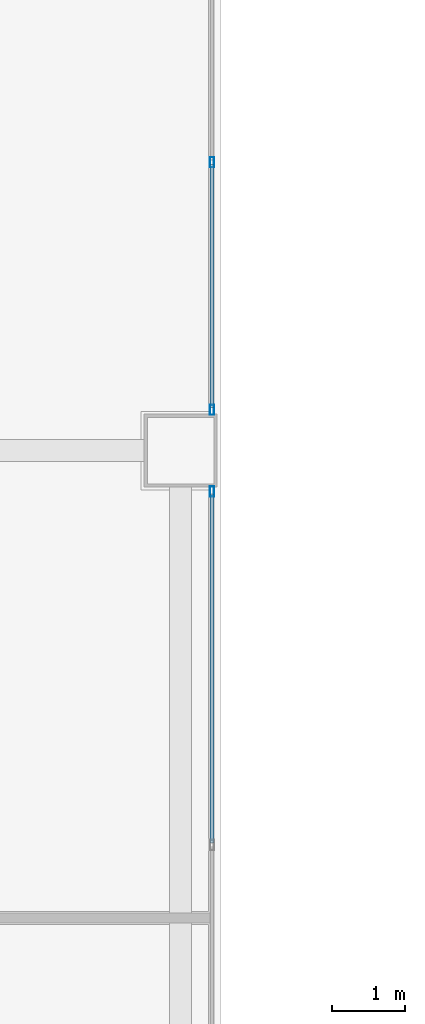
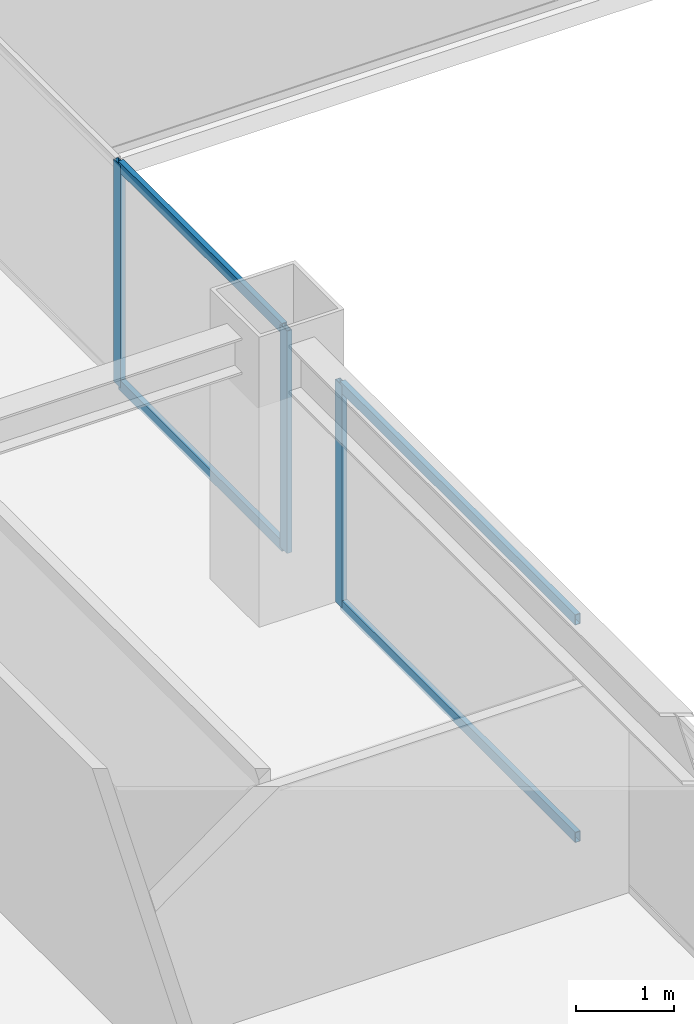
# One storey, part 7 of 29: 7 members, 2 elements without a shape of their own.
"""IFC4 building model written with IfcOpenShell, lengths in metres."""

from ifc_helpers import new_model, si_unit, direction, frame, origin, origin_2d, place, context, subcontext, project, spatial, hollow_rectangle, extrude, source, transform, mapped, material, layer, layer_set, material_profile, profile_set, type_object, element, aggregate, save


model = new_model("IFC4")

# Units and contexts
model_context = context("Model", 3, precision=1e-05, world=origin(), true_north=direction((0.0, 1.0)))
body_context = subcontext(model_context, "Body", "Model", "MODEL_VIEW")
ifc_project = project(units=[si_unit("LENGTHUNIT", "METRE"), si_unit("AREAUNIT", "SQUARE_METRE"), si_unit("VOLUMEUNIT", "CUBIC_METRE"), si_unit("PLANEANGLEUNIT", "RADIAN"), si_unit("MASSUNIT", "GRAM", prefix="KILO")], contexts=[model_context])

# Site, building, storey
site_placement = place(None, origin())
site = spatial("IfcSite", under=ifc_project, at=site_placement, CompositionType="ELEMENT")
building_placement = place(site_placement, origin())
building = spatial("IfcBuilding", under=site, at=building_placement, Name="Sumidabori Civic Tower", CompositionType="ELEMENT")
storey_placement = place(building_placement, frame((0.0, 0.0, 203.60009765625)))
storey = spatial("IfcBuildingStorey", under=building, at=storey_placement, Name="L52", CompositionType="ELEMENT", Elevation=203.60009765625)

# Curtain wall, member
ifc_material = material(Name="Anodised Bronze Aluminium AW-6063-T6", Category="aluminium")
ifc_layer = layer(ifc_material, 0.179931640625, Name="Anodised Bronze Aluminium AW-6063-T6")
ifc_layer_set = layer_set([ifc_layer], Name="Anodised Bronze Aluminium AW-6063-T6")
curtain_wall_type = type_object("IfcCurtainWallType", Name="CW-SYS-4", PredefinedType="NOTDEFINED", material=ifc_layer_set)
curtain_wall_1_placement = place(storey_placement, origin())
curtain_wall_1 = element("IfcCurtainWall", 1, at=curtain_wall_1_placement, inside=storey, type_object=curtain_wall_type, Name="Curtain Wall CW:L52:R03", PredefinedType="NOTDEFINED")
ifc_material_profile_1 = material_profile(ifc_material, hollow_rectangle(XDim=0.06005859375, YDim=0.139892578125, WallThickness=0.0048828125, at=origin_2d()), Name="ALU MULLION 140x60")
ifc_profile_set_1 = profile_set([ifc_material_profile_1], Name="Anodised Bronze Aluminium AW-6063-T6")
member_type_1 = type_object("IfcMemberType", Name="CW-MUL-140", PredefinedType="MULLION", material=ifc_profile_set_1)
shared_shape_1 = source(origin(), body_context, "Body", "SweptSolid", [
    extrude(hollow_rectangle(XDim=0.06005859375, YDim=0.139892578125, WallThickness=0.0048828125, at=origin_2d()), origin(), (0.0, 0.0, 1.0), 2.760009765625),
])
member_1_placement = place(storey_placement, frame((-7.969970703125, -0.56005859375, 0.0), z_axis=(0.0, 0.0, 1.0), x_axis=(-1.0, 0.0, 0.0)))
member_1 = element("IfcMember", 2, at=member_1_placement, type_object=member_type_1, Name="CW-4 mullion 3", PredefinedType="MULLION", context=body_context, shape_type="MappedRepresentation", body=[
    mapped(shared_shape_1, transform((0.0, 0.0, 0.0), x_axis=(1.0, 0.0, 0.0), y_axis=(0.0, 1.0, 0.0), z_axis=(0.0, 0.0, 1.0), scale=1.0)),
])

# Curtain wall, members
curtain_wall_2_placement = place(storey_placement, origin())
curtain_wall_2 = element("IfcCurtainWall", 3, at=curtain_wall_2_placement, inside=storey, type_object=curtain_wall_type, Name="Curtain Wall CW:L52:R04", PredefinedType="NOTDEFINED")
member_2_placement = place(storey_placement, frame((-7.969970703125, 0.56005859375, 0.0), z_axis=(0.0, 0.0, 1.0), x_axis=(-1.0, 0.0, 0.0)))
member_2 = element("IfcMember", 4, at=member_2_placement, type_object=member_type_1, Name="CW-4 mullion 1", PredefinedType="MULLION", context=body_context, shape_type="MappedRepresentation", body=[
    mapped(shared_shape_1, transform((0.0, 0.0, 0.0), x_axis=(1.0, 0.0, 0.0), y_axis=(0.0, 1.0, 0.0), z_axis=(0.0, 0.0, 1.0), scale=1.0)),
])
member_3_placement = place(storey_placement, frame((-7.969970703125, 3.949951171875, 0.0), z_axis=(0.0, 0.0, 1.0), x_axis=(-1.0, 0.0, 0.0)))
member_3 = element("IfcMember", 5, at=member_3_placement, type_object=member_type_1, Name="CW-4 mullion 2", PredefinedType="MULLION", context=body_context, shape_type="MappedRepresentation", body=[
    mapped(shared_shape_1, transform((0.0, 0.0, 0.0), x_axis=(1.0, 0.0, 0.0), y_axis=(0.0, 1.0, 0.0), z_axis=(0.0, 0.0, 1.0), scale=1.0)),
])

# Member
ifc_material_profile_2 = material_profile(ifc_material, hollow_rectangle(XDim=0.06005859375, YDim=0.1298828125, WallThickness=0.0048828125, at=origin_2d()), Name="ALU TRANSOM 130x60")
ifc_profile_set_2 = profile_set([ifc_material_profile_2], Name="Anodised Bronze Aluminium AW-6063-T6")
member_type_2 = type_object("IfcMemberType", Name="CW-TRN-130", PredefinedType="USERDEFINED", material=ifc_profile_set_2)
shared_shape_2 = source(origin(), body_context, "Body", "SweptSolid", [
    extrude(hollow_rectangle(XDim=0.06005859375, YDim=0.1298828125, WallThickness=0.0048828125, at=origin_2d()), origin(), (0.0, 0.0, 1.0), 4.780029296875),
])
member_4_placement = place(storey_placement, frame((-7.969970703125, -5.3701171875, 0.02978515625), z_axis=(0.0, 1.0, 0.0), x_axis=(-1.0, 0.0, 0.0)))
member_4 = element("IfcMember", 6, at=member_4_placement, type_object=member_type_2, Name="CW-4 transom 2.1", ObjectType="TRANSOM", PredefinedType="USERDEFINED", context=body_context, shape_type="MappedRepresentation", body=[
    mapped(shared_shape_2, transform((0.0, 0.0, 0.0), x_axis=(1.0, 0.0, 0.0), y_axis=(0.0, 1.0, 0.0), z_axis=(0.0, 0.0, 1.0), scale=1.0)),
])

member_5_placement = place(storey_placement, frame((-7.969970703125, -5.3701171875, 2.72998046875), z_axis=(0.0, 1.0, 0.0), x_axis=(-1.0, 0.0, 0.0)))
member_5 = element("IfcMember", 7, at=member_5_placement, type_object=member_type_2, Name="CW-4 transom 2.2", ObjectType="TRANSOM", PredefinedType="USERDEFINED", context=body_context, shape_type="MappedRepresentation", body=[
    mapped(shared_shape_2, transform((0.0, 0.0, 0.0), x_axis=(1.0, 0.0, 0.0), y_axis=(0.0, 1.0, 0.0), z_axis=(0.0, 0.0, 1.0), scale=1.0)),
])

aggregate(curtain_wall_1, [member_1, member_4, member_5])

shared_shape_3 = source(origin(), body_context, "Body", "SweptSolid", [
    extrude(hollow_rectangle(XDim=0.06005859375, YDim=0.1298828125, WallThickness=0.0048828125, at=origin_2d()), origin(), (0.0, 0.0, 1.0), 3.329833984375),
])
member_6_placement = place(storey_placement, frame((-7.969970703125, 0.590087890625, 0.02978515625), z_axis=(0.0, 1.0, 0.0), x_axis=(-1.0, 0.0, 0.0)))
member_6 = element("IfcMember", 8, at=member_6_placement, type_object=member_type_2, Name="CW-4 transom 1.1", ObjectType="TRANSOM", PredefinedType="USERDEFINED", context=body_context, shape_type="MappedRepresentation", body=[
    mapped(shared_shape_3, transform((0.0, 0.0, 0.0), x_axis=(1.0, 0.0, 0.0), y_axis=(0.0, 1.0, 0.0), z_axis=(0.0, 0.0, 1.0), scale=1.0)),
])

member_7_placement = place(storey_placement, frame((-7.969970703125, 0.590087890625, 2.72998046875), z_axis=(0.0, 1.0, 0.0), x_axis=(-1.0, 0.0, 0.0)))
member_7 = element("IfcMember", 9, at=member_7_placement, type_object=member_type_2, Name="CW-4 transom 1.2", ObjectType="TRANSOM", PredefinedType="USERDEFINED", context=body_context, shape_type="MappedRepresentation", body=[
    mapped(shared_shape_3, transform((0.0, 0.0, 0.0), x_axis=(1.0, 0.0, 0.0), y_axis=(0.0, 1.0, 0.0), z_axis=(0.0, 0.0, 1.0), scale=1.0)),
])

aggregate(curtain_wall_2, [member_2, member_3, member_6, member_7])

save(model, "model.ifc")
